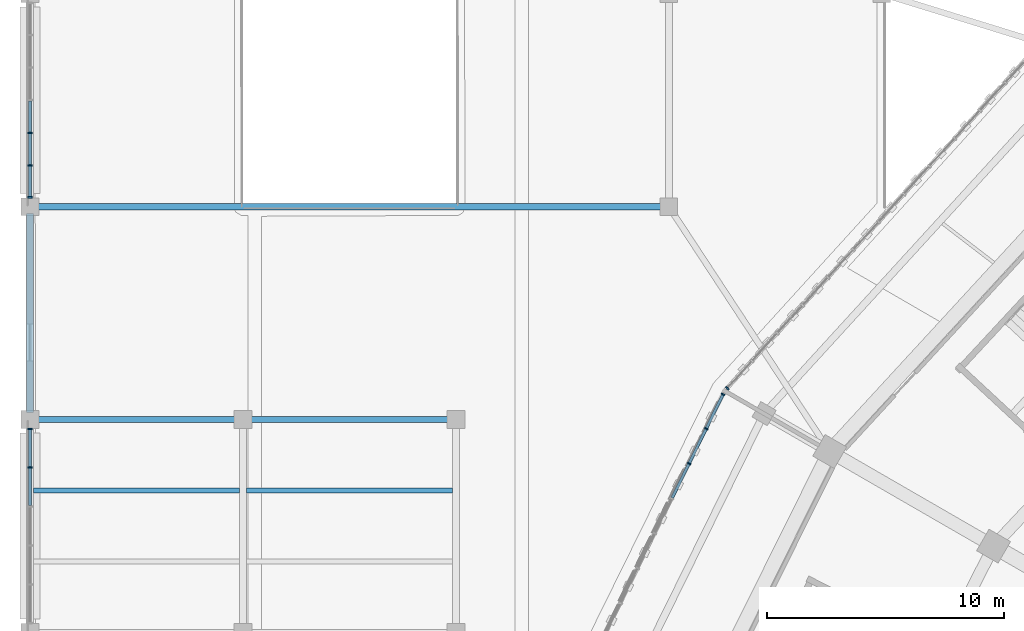
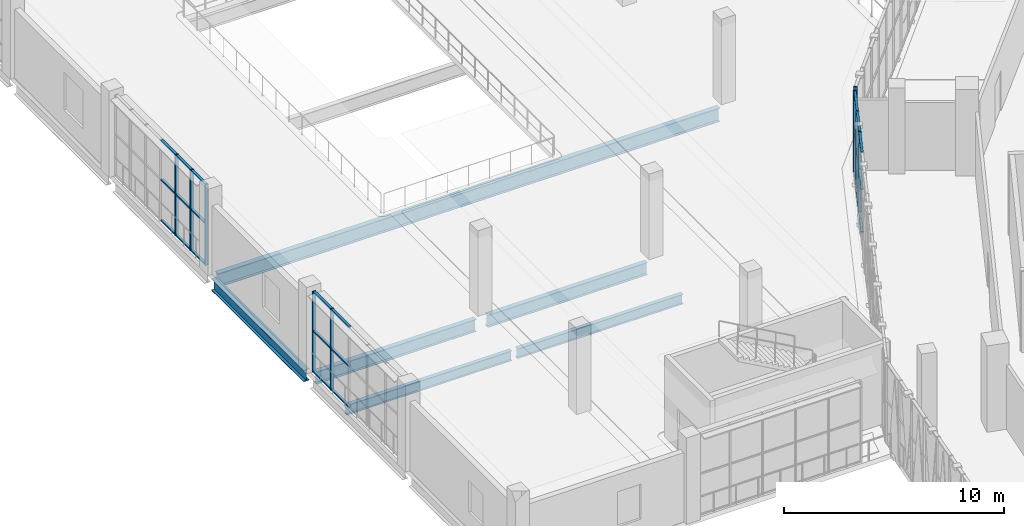
# One storey, part 45 of 179: 33 members, 6 beams, 4 elements without a shape of their own.
"""IFC4 building model written with IfcOpenShell, lengths in metres."""

from ifc_helpers import new_model, si_unit, direction, frame, origin, origin_2d, place, context, subcontext, project, spatial, rectangle, i_section, extrude, material, material_profile, profile_set, type_object, element, aggregate, save


model = new_model("IFC4")

# Units and contexts
model_context = context("Model", 3, precision=1e-05, world=origin(), true_north=direction((0.0, 1.0)))
body_context = subcontext(model_context, "Body", "Model", "MODEL_VIEW")
ifc_project = project(units=[si_unit("LENGTHUNIT", "METRE"), si_unit("AREAUNIT", "SQUARE_METRE"), si_unit("VOLUMEUNIT", "CUBIC_METRE"), si_unit("PLANEANGLEUNIT", "RADIAN"), si_unit("MASSUNIT", "GRAM", prefix="KILO")], contexts=[model_context])

# Site, building, storey
site_placement = place(None, origin())
site = spatial("IfcSite", under=ifc_project, at=site_placement, CompositionType="ELEMENT")
building_placement = place(site_placement, origin())
building = spatial("IfcBuilding", under=site, at=building_placement, Name="Zevraka Park Crest Stadium", CompositionType="ELEMENT")
storey_placement = place(building_placement, frame((0.0, 0.0, 10.199951171875)))
storey = spatial("IfcBuildingStorey", under=building, at=storey_placement, Name="L02", CompositionType="ELEMENT", Elevation=10.199951171875)

# Beams
ifc_material_1 = material(Name="Steel S355", Category="steel")
ifc_material_profile_1 = material_profile(ifc_material_1, i_section(OverallWidth=0.253662109375, OverallDepth=0.68359375, WebThickness=0.012451171875, FlangeThickness=0.01904296875, at=origin_2d()), Name="UKB 686x254x140")
ifc_profile_set_1 = profile_set([ifc_material_profile_1], Name="Steel S355")
beam_type_1 = type_object("IfcBeamType", Name="BG05", PredefinedType="BEAM", material=ifc_profile_set_1)
for number, where, z_axis, x_axis, name in (
    (1, (0.300048828125, 131.0, -0.629638671875), (1.0, 0.0, 0.0), (0.0, 1.0, 0.0), "Wing Girder BG05 L02-12/Q"),
    (2, (9.300048828125, 131.0, -0.629638671875), (1.0, 0.0, 0.0), (0.0, 1.0, 0.0), "Wing Girder BG05 L02-23/Q"),
):
    element("IfcBeam", number, at=place(storey_placement, frame(where, z_axis=z_axis, x_axis=x_axis)), inside=storey, type_object=beam_type_1, Name=name, PredefinedType="BEAM", context=body_context, shape_type="SweptSolid", body=[
        extrude(i_section(OverallWidth=0.253662109375, OverallDepth=0.68359375, WebThickness=0.012451171875, FlangeThickness=0.01904296875, at=origin_2d()), origin(), (0.0, 0.0, 1.0), 8.39990234375),
    ])
ifc_material_2 = material(Name="Steel S355", Category="steel")
ifc_material_profile_2 = material_profile(ifc_material_2, i_section(OverallWidth=0.300048828125, OverallDepth=0.64990234375, WebThickness=0.01611328125, FlangeThickness=0.031005859375, at=origin_2d()), Name="HEB 650")
ifc_profile_set_2 = profile_set([ifc_material_profile_2], Name="Steel S355")
beam_type_2 = type_object("IfcBeamType", Name="BG07", PredefinedType="BEAM", material=ifc_profile_set_2)
beam_1_placement = place(storey_placement, frame((0.0, 131.300048828125, -0.613037109375), z_axis=(0.0, 1.0, 0.0), x_axis=(-1.0, 0.0, 0.0)))
element("IfcBeam", 3, at=beam_1_placement, inside=storey, type_object=beam_type_2, Name="Wing Girder BG07 L02-1/QR", PredefinedType="BEAM", context=body_context, shape_type="SweptSolid", body=[
    extrude(i_section(OverallWidth=0.300048828125, OverallDepth=0.64990234375, WebThickness=0.01611328125, FlangeThickness=0.031005859375, at=origin_2d()), origin(), (0.0, 0.0, 1.0), 8.39990234375),
])
ifc_material_3 = material(Name="Steel S355", Category="steel")
ifc_material_profile_3 = material_profile(ifc_material_3, i_section(OverallWidth=0.26708984375, OverallDepth=0.761962890625, WebThickness=0.014404296875, FlangeThickness=0.021484375, at=origin_2d()), Name="UKB 762x267x173")
ifc_profile_set_3 = profile_set([ifc_material_profile_3], Name="Steel S355")
beam_type_3 = type_object("IfcBeamType", Name="BG08", PredefinedType="BEAM", material=ifc_profile_set_3)
beam_2_placement = place(storey_placement, frame((0.300048828125, 140.0, -0.6689453125), z_axis=(1.0, 0.0, 0.0), x_axis=(0.0, 1.0, 0.0)))
element("IfcBeam", 4, at=beam_2_placement, inside=storey, type_object=beam_type_3, Name="Wing Girder BG08 L02-14/R", PredefinedType="BEAM", context=body_context, shape_type="SweptSolid", body=[
    extrude(i_section(OverallWidth=0.26708984375, OverallDepth=0.761962890625, WebThickness=0.014404296875, FlangeThickness=0.021484375, at=origin_2d()), origin(), (0.0, 0.0, 1.0), 26.39990234375),
])

# Curtain wall, members
ifc_material_4 = material(Name="Anodised architectural aluminium and laminated safety glass", Category="aluminium")
curtain_wall_type_1 = type_object("IfcCurtainWallType", Name="CW07", PredefinedType="NOTDEFINED", material=ifc_material_4)
curtain_wall_1_placement = place(storey_placement, origin())
curtain_wall_1 = element("IfcCurtainWall", 5, at=curtain_wall_1_placement, inside=storey, type_object=curtain_wall_type_1, Name="Unitised Ring Curtain Wall CW07 L02-10", PredefinedType="NOTDEFINED")
ifc_material_5 = material(Name="Anodised architectural aluminium", Category="aluminium")
ifc_material_profile_4 = material_profile(ifc_material_5, rectangle(XDim=0.159912109375, YDim=0.06005859375, at=origin_2d()), Name="ALU MULLION 160x60")
ifc_profile_set_4 = profile_set([ifc_material_profile_4], Name="Anodised architectural aluminium")
member_type_1 = type_object("IfcMemberType", Name="CM01", PredefinedType="MULLION", material=ifc_profile_set_4)
member_1_placement = place(storey_placement, frame((29.291748046875, 132.06201171875, 0.0), z_axis=(0.0, 0.0, 1.0), x_axis=(0.897496768201, -0.441021032455, 0.0)))
member_1 = element("IfcMember", 6, at=member_1_placement, type_object=member_type_1, Name="CW07 mullion 1", PredefinedType="MULLION", context=body_context, shape_type="SweptSolid", body=[
    extrude(rectangle(XDim=0.159912109375, YDim=0.06005859375, at=origin_2d()), origin(), (0.0, 0.0, 1.0), 4.5),
])
member_2_placement = place(storey_placement, frame((28.58056640625, 130.61474609375, 0.0), z_axis=(0.0, 0.0, 1.0), x_axis=(0.897496768201, -0.441021032455, 0.0)))
member_2 = element("IfcMember", 7, at=member_2_placement, type_object=member_type_1, Name="CW07 mullion 2", PredefinedType="MULLION", context=body_context, shape_type="SweptSolid", body=[
    extrude(rectangle(XDim=0.159912109375, YDim=0.06005859375, at=origin_2d()), origin(), (0.0, 0.0, 1.0), 4.5),
])
member_3_placement = place(storey_placement, frame((27.856201171875, 129.140625, 0.0), z_axis=(0.0, 0.0, 1.0), x_axis=(0.897496768201, -0.441021032455, 0.0)))
member_3 = element("IfcMember", 8, at=member_3_placement, type_object=member_type_1, Name="CW07 mullion 3", PredefinedType="MULLION", context=body_context, shape_type="SweptSolid", body=[
    extrude(rectangle(XDim=0.159912109375, YDim=0.06005859375, at=origin_2d()), origin(), (0.0, 0.0, 1.0), 4.5),
])

# Curtain wall, member
ifc_material_6 = material(Name="Anodised architectural aluminium and laminated safety glass", Category="aluminium")
curtain_wall_type_2 = type_object("IfcCurtainWallType", Name="CW08", PredefinedType="NOTDEFINED", material=ifc_material_6)
curtain_wall_2_placement = place(storey_placement, origin())
curtain_wall_2 = element("IfcCurtainWall", 9, at=curtain_wall_2_placement, inside=storey, type_object=curtain_wall_type_2, Name="Unitised Ring Curtain Wall CW08 L02-09", PredefinedType="NOTDEFINED")
ifc_material_7 = material(Name="Anodised architectural aluminium", Category="aluminium")
ifc_material_profile_5 = material_profile(ifc_material_7, rectangle(XDim=0.179931640625, YDim=0.06494140625, at=origin_2d()), Name="ALU MULLION 180x65")
ifc_profile_set_5 = profile_set([ifc_material_profile_5], Name="Anodised architectural aluminium")
member_type_2 = type_object("IfcMemberType", Name="CM02", PredefinedType="MULLION", material=ifc_profile_set_5)
member_4_placement = place(storey_placement, frame((29.469970703125, 132.323974609375, 0.0), z_axis=(0.0, 0.0, 1.0), x_axis=(0.739496877097, -0.673159987494, 0.0)))
member_4 = element("IfcMember", 10, at=member_4_placement, type_object=member_type_2, Name="CW08 mullion 15", PredefinedType="MULLION", context=body_context, shape_type="SweptSolid", body=[
    extrude(rectangle(XDim=0.179931640625, YDim=0.06494140625, at=origin_2d()), origin(), (0.0, 0.0, 1.0), 4.5),
])
aggregate(curtain_wall_2, [member_4])

# Curtain wall, members
ifc_material_8 = material(Name="Anodised architectural aluminium and laminated safety glass", Category="aluminium")
curtain_wall_type_3 = type_object("IfcCurtainWallType", Name="CW29", PredefinedType="NOTDEFINED", material=ifc_material_8)
curtain_wall_3_placement = place(storey_placement, origin())
curtain_wall_3 = element("IfcCurtainWall", 11, at=curtain_wall_3_placement, inside=storey, type_object=curtain_wall_type_3, Name="Wing Curtain Wall CW29 L02-NW-W-2", PredefinedType="NOTDEFINED")
member_5_placement = place(storey_placement, frame((0.0, 128.98095703125, 0.0), z_axis=(0.0, 0.0, 1.0), x_axis=(-1.0, 0.0, 0.0)))
member_5 = element("IfcMember", 12, at=member_5_placement, type_object=member_type_2, Name="CW29 mullion 5", PredefinedType="MULLION", context=body_context, shape_type="SweptSolid", body=[
    extrude(rectangle(XDim=0.179931640625, YDim=0.06494140625, at=origin_2d()), origin(), (0.0, 0.0, 1.0), 4.5),
])
member_6_placement = place(storey_placement, frame((0.0, 130.6025390625, 0.0), z_axis=(0.0, 0.0, 1.0), x_axis=(-1.0, 0.0, 0.0)))
member_6 = element("IfcMember", 13, at=member_6_placement, type_object=member_type_2, Name="CW29 mullion 6", PredefinedType="MULLION", context=body_context, shape_type="SweptSolid", body=[
    extrude(rectangle(XDim=0.179931640625, YDim=0.06494140625, at=origin_2d()), origin(), (0.0, 0.0, 1.0), 4.5),
])

ifc_material_9 = material(Name="Anodised architectural aluminium and laminated safety glass", Category="aluminium")
curtain_wall_type_4 = type_object("IfcCurtainWallType", Name="CW26", PredefinedType="NOTDEFINED", material=ifc_material_9)
curtain_wall_4_placement = place(storey_placement, origin())
curtain_wall_4 = element("IfcCurtainWall", 14, at=curtain_wall_4_placement, inside=storey, type_object=curtain_wall_type_4, Name="Wing Curtain Wall CW26 L02-NW-W-4", PredefinedType="NOTDEFINED")
member_7_placement = place(storey_placement, frame((0.0, 140.3974609375, 0.0), z_axis=(0.0, 0.0, 1.0), x_axis=(-1.0, 0.0, 0.0)))
member_7 = element("IfcMember", 15, at=member_7_placement, type_object=member_type_2, Name="CW26 mullion 1", PredefinedType="MULLION", context=body_context, shape_type="SweptSolid", body=[
    extrude(rectangle(XDim=0.179931640625, YDim=0.06494140625, at=origin_2d()), origin(), (0.0, 0.0, 1.0), 4.5),
])
member_8_placement = place(storey_placement, frame((0.0, 141.743408203125, 0.0), z_axis=(0.0, 0.0, 1.0), x_axis=(-1.0, 0.0, 0.0)))
member_8 = element("IfcMember", 16, at=member_8_placement, type_object=member_type_2, Name="CW26 mullion 2", PredefinedType="MULLION", context=body_context, shape_type="SweptSolid", body=[
    extrude(rectangle(XDim=0.179931640625, YDim=0.06494140625, at=origin_2d()), origin(), (0.0, 0.0, 1.0), 4.5),
])
member_9_placement = place(storey_placement, frame((0.0, 143.12158203125, 0.0), z_axis=(0.0, 0.0, 1.0), x_axis=(-1.0, 0.0, 0.0)))
member_9 = element("IfcMember", 17, at=member_9_placement, type_object=member_type_2, Name="CW26 mullion 3", PredefinedType="MULLION", context=body_context, shape_type="SweptSolid", body=[
    extrude(rectangle(XDim=0.179931640625, YDim=0.06494140625, at=origin_2d()), origin(), (0.0, 0.0, 1.0), 4.5),
])

# Member
ifc_material_10 = material(Name="Anodised architectural aluminium", Category="aluminium")
ifc_material_profile_6 = material_profile(ifc_material_10, rectangle(XDim=0.1201171875, YDim=0.06005859375, at=origin_2d()), Name="ALU TRANSOM 120x60")
ifc_profile_set_6 = profile_set([ifc_material_profile_6], Name="Anodised architectural aluminium")
member_type_3 = type_object("IfcMemberType", Name="CT01", PredefinedType="USERDEFINED", material=ifc_profile_set_6)
member_10_placement = place(storey_placement, frame((29.278564453125, 132.03515625, 0.030029296875), z_axis=(-0.441101676323, -0.897457136105, 0.0), x_axis=(0.897457136105, -0.441101676323, 0.0)))
member_10 = element("IfcMember", 18, at=member_10_placement, type_object=member_type_3, Name="CW07 transom 1.1", ObjectType="TRANSOM", PredefinedType="USERDEFINED", context=body_context, shape_type="SweptSolid", body=[
    extrude(rectangle(XDim=0.1201171875, YDim=0.06005859375, at=origin_2d()), origin(), (0.0, 0.0, 1.0), 1.552490234375),
])

member_11_placement = place(storey_placement, frame((29.278564453125, 132.03515625, 2.400146484375), z_axis=(-0.441101676323, -0.897457136105, 0.0), x_axis=(0.897457136105, -0.441101676323, 0.0)))
member_11 = element("IfcMember", 19, at=member_11_placement, type_object=member_type_3, Name="CW07 transom 1.2", ObjectType="TRANSOM", PredefinedType="USERDEFINED", context=body_context, shape_type="SweptSolid", body=[
    extrude(rectangle(XDim=0.1201171875, YDim=0.06005859375, at=origin_2d()), origin(), (0.0, 0.0, 1.0), 1.552490234375),
])

member_12_placement = place(storey_placement, frame((29.278564453125, 132.03515625, 4.469970703125), z_axis=(-0.441101676323, -0.897457136105, 0.0), x_axis=(0.897457136105, -0.441101676323, 0.0)))
member_12 = element("IfcMember", 20, at=member_12_placement, type_object=member_type_3, Name="CW07 transom 1.3", ObjectType="TRANSOM", PredefinedType="USERDEFINED", context=body_context, shape_type="SweptSolid", body=[
    extrude(rectangle(XDim=0.1201171875, YDim=0.06005859375, at=origin_2d()), origin(), (0.0, 0.0, 1.0), 1.552490234375),
])

member_13_placement = place(storey_placement, frame((28.5673828125, 130.587890625, 0.030029296875), z_axis=(-0.441093576416, -0.897461117177, 0.0), x_axis=(0.897461117177, -0.441093576416, 0.0)))
member_13 = element("IfcMember", 21, at=member_13_placement, type_object=member_type_3, Name="CW07 transom 2.1", ObjectType="TRANSOM", PredefinedType="USERDEFINED", context=body_context, shape_type="SweptSolid", body=[
    extrude(rectangle(XDim=0.1201171875, YDim=0.06005859375, at=origin_2d()), origin(), (0.0, 0.0, 1.0), 1.58251953125),
])

member_14_placement = place(storey_placement, frame((28.5673828125, 130.587890625, 2.400146484375), z_axis=(-0.441093576416, -0.897461117177, 0.0), x_axis=(0.897461117177, -0.441093576416, 0.0)))
member_14 = element("IfcMember", 22, at=member_14_placement, type_object=member_type_3, Name="CW07 transom 2.2", ObjectType="TRANSOM", PredefinedType="USERDEFINED", context=body_context, shape_type="SweptSolid", body=[
    extrude(rectangle(XDim=0.1201171875, YDim=0.06005859375, at=origin_2d()), origin(), (0.0, 0.0, 1.0), 1.58251953125),
])

member_15_placement = place(storey_placement, frame((28.5673828125, 130.587890625, 4.469970703125), z_axis=(-0.441093576416, -0.897461117177, 0.0), x_axis=(0.897461117177, -0.441093576416, 0.0)))
member_15 = element("IfcMember", 23, at=member_15_placement, type_object=member_type_3, Name="CW07 transom 2.3", ObjectType="TRANSOM", PredefinedType="USERDEFINED", context=body_context, shape_type="SweptSolid", body=[
    extrude(rectangle(XDim=0.1201171875, YDim=0.06005859375, at=origin_2d()), origin(), (0.0, 0.0, 1.0), 1.58251953125),
])

member_16_placement = place(storey_placement, frame((27.843017578125, 129.11376953125, 0.030029296875), z_axis=(-0.441032508924, -0.897491128687, 0.0), x_axis=(0.897491128687, -0.441032508924, 0.0)))
member_16 = element("IfcMember", 24, at=member_16_placement, type_object=member_type_3, Name="CW07 transom 3.1", ObjectType="TRANSOM", PredefinedType="USERDEFINED", context=body_context, shape_type="SweptSolid", body=[
    extrude(rectangle(XDim=0.1201171875, YDim=0.06005859375, at=origin_2d()), origin(), (0.0, 0.0, 1.0), 1.582763671875),
])

member_17_placement = place(storey_placement, frame((27.843017578125, 129.11376953125, 2.400146484375), z_axis=(-0.441032508924, -0.897491128687, 0.0), x_axis=(0.897491128687, -0.441032508924, 0.0)))
member_17 = element("IfcMember", 25, at=member_17_placement, type_object=member_type_3, Name="CW07 transom 3.2", ObjectType="TRANSOM", PredefinedType="USERDEFINED", context=body_context, shape_type="SweptSolid", body=[
    extrude(rectangle(XDim=0.1201171875, YDim=0.06005859375, at=origin_2d()), origin(), (0.0, 0.0, 1.0), 1.582763671875),
])

member_18_placement = place(storey_placement, frame((27.843017578125, 129.11376953125, 4.469970703125), z_axis=(-0.441032508924, -0.897491128687, 0.0), x_axis=(0.897491128687, -0.441032508924, 0.0)))
member_18 = element("IfcMember", 26, at=member_18_placement, type_object=member_type_3, Name="CW07 transom 3.3", ObjectType="TRANSOM", PredefinedType="USERDEFINED", context=body_context, shape_type="SweptSolid", body=[
    extrude(rectangle(XDim=0.1201171875, YDim=0.06005859375, at=origin_2d()), origin(), (0.0, 0.0, 1.0), 1.582763671875),
])

aggregate(curtain_wall_1, [member_1, member_2, member_3, member_10, member_11, member_12, member_13, member_14, member_15, member_16, member_17, member_18])

ifc_material_11 = material(Name="Anodised architectural aluminium", Category="aluminium")
ifc_material_profile_7 = material_profile(ifc_material_11, rectangle(XDim=0.139892578125, YDim=0.06494140625, at=origin_2d()), Name="ALU TRANSOM 140x65")
ifc_profile_set_7 = profile_set([ifc_material_profile_7], Name="Anodised architectural aluminium")
member_type_4 = type_object("IfcMemberType", Name="CT02", PredefinedType="USERDEFINED", material=ifc_profile_set_7)
member_19_placement = place(storey_placement, frame((0.0, 127.359619140625, 0.032470703125), z_axis=(0.0, 1.0, 0.0), x_axis=(-1.0, 0.0, 0.0)))
member_19 = element("IfcMember", 27, at=member_19_placement, type_object=member_type_4, Name="CW29 transom 4.1", ObjectType="TRANSOM", PredefinedType="USERDEFINED", context=body_context, shape_type="SweptSolid", body=[
    extrude(rectangle(XDim=0.139892578125, YDim=0.06494140625, at=origin_2d()), origin(), (0.0, 0.0, 1.0), 1.5888671875),
])

member_20_placement = place(storey_placement, frame((0.0, 127.359619140625, 2.300048828125), z_axis=(0.0, 1.0, 0.0), x_axis=(-1.0, 0.0, 0.0)))
member_20 = element("IfcMember", 28, at=member_20_placement, type_object=member_type_4, Name="CW29 transom 4.2", ObjectType="TRANSOM", PredefinedType="USERDEFINED", context=body_context, shape_type="SweptSolid", body=[
    extrude(rectangle(XDim=0.139892578125, YDim=0.06494140625, at=origin_2d()), origin(), (0.0, 0.0, 1.0), 1.5888671875),
])

member_21_placement = place(storey_placement, frame((0.0, 127.359619140625, 4.467529296875), z_axis=(0.0, 1.0, 0.0), x_axis=(-1.0, 0.0, 0.0)))
member_21 = element("IfcMember", 29, at=member_21_placement, type_object=member_type_4, Name="CW29 transom 4.3", ObjectType="TRANSOM", PredefinedType="USERDEFINED", context=body_context, shape_type="SweptSolid", body=[
    extrude(rectangle(XDim=0.139892578125, YDim=0.06494140625, at=origin_2d()), origin(), (0.0, 0.0, 1.0), 1.5888671875),
])

member_22_placement = place(storey_placement, frame((0.0, 129.013427734375, 0.032470703125), z_axis=(0.0, 1.0, 0.0), x_axis=(-1.0, 0.0, 0.0)))
member_22 = element("IfcMember", 30, at=member_22_placement, type_object=member_type_4, Name="CW29 transom 5.1", ObjectType="TRANSOM", PredefinedType="USERDEFINED", context=body_context, shape_type="SweptSolid", body=[
    extrude(rectangle(XDim=0.139892578125, YDim=0.06494140625, at=origin_2d()), origin(), (0.0, 0.0, 1.0), 1.556640625),
])

member_23_placement = place(storey_placement, frame((0.0, 129.013427734375, 2.300048828125), z_axis=(0.0, 1.0, 0.0), x_axis=(-1.0, 0.0, 0.0)))
member_23 = element("IfcMember", 31, at=member_23_placement, type_object=member_type_4, Name="CW29 transom 5.2", ObjectType="TRANSOM", PredefinedType="USERDEFINED", context=body_context, shape_type="SweptSolid", body=[
    extrude(rectangle(XDim=0.139892578125, YDim=0.06494140625, at=origin_2d()), origin(), (0.0, 0.0, 1.0), 1.556640625),
])

member_24_placement = place(storey_placement, frame((0.0, 129.013427734375, 4.467529296875), z_axis=(0.0, 1.0, 0.0), x_axis=(-1.0, 0.0, 0.0)))
member_24 = element("IfcMember", 32, at=member_24_placement, type_object=member_type_4, Name="CW29 transom 5.3", ObjectType="TRANSOM", PredefinedType="USERDEFINED", context=body_context, shape_type="SweptSolid", body=[
    extrude(rectangle(XDim=0.139892578125, YDim=0.06494140625, at=origin_2d()), origin(), (0.0, 0.0, 1.0), 1.556640625),
])

aggregate(curtain_wall_3, [member_5, member_6, member_19, member_20, member_21, member_22, member_23, member_24])

member_25_placement = place(storey_placement, frame((0.0, 140.429931640625, 0.032470703125), z_axis=(0.0, 1.0, 0.0), x_axis=(-1.0, 0.0, 0.0)))
member_25 = element("IfcMember", 33, at=member_25_placement, type_object=member_type_4, Name="CW26 transom 1.1", ObjectType="TRANSOM", PredefinedType="USERDEFINED", context=body_context, shape_type="SweptSolid", body=[
    extrude(rectangle(XDim=0.139892578125, YDim=0.06494140625, at=origin_2d()), origin(), (0.0, 0.0, 1.0), 1.281005859375),
])

member_26_placement = place(storey_placement, frame((0.0, 140.429931640625, 2.300048828125), z_axis=(0.0, 1.0, 0.0), x_axis=(-1.0, 0.0, 0.0)))
member_26 = element("IfcMember", 34, at=member_26_placement, type_object=member_type_4, Name="CW26 transom 1.2", ObjectType="TRANSOM", PredefinedType="USERDEFINED", context=body_context, shape_type="SweptSolid", body=[
    extrude(rectangle(XDim=0.139892578125, YDim=0.06494140625, at=origin_2d()), origin(), (0.0, 0.0, 1.0), 1.281005859375),
])

member_27_placement = place(storey_placement, frame((0.0, 140.429931640625, 4.467529296875), z_axis=(0.0, 1.0, 0.0), x_axis=(-1.0, 0.0, 0.0)))
member_27 = element("IfcMember", 35, at=member_27_placement, type_object=member_type_4, Name="CW26 transom 1.3", ObjectType="TRANSOM", PredefinedType="USERDEFINED", context=body_context, shape_type="SweptSolid", body=[
    extrude(rectangle(XDim=0.139892578125, YDim=0.06494140625, at=origin_2d()), origin(), (0.0, 0.0, 1.0), 1.281005859375),
])

member_28_placement = place(storey_placement, frame((0.0, 141.77587890625, 0.032470703125), z_axis=(0.0, 1.0, 0.0), x_axis=(-1.0, 0.0, 0.0)))
member_28 = element("IfcMember", 36, at=member_28_placement, type_object=member_type_4, Name="CW26 transom 2.1", ObjectType="TRANSOM", PredefinedType="USERDEFINED", context=body_context, shape_type="SweptSolid", body=[
    extrude(rectangle(XDim=0.139892578125, YDim=0.06494140625, at=origin_2d()), origin(), (0.0, 0.0, 1.0), 1.313232421875),
])

member_29_placement = place(storey_placement, frame((0.0, 141.77587890625, 2.300048828125), z_axis=(0.0, 1.0, 0.0), x_axis=(-1.0, 0.0, 0.0)))
member_29 = element("IfcMember", 37, at=member_29_placement, type_object=member_type_4, Name="CW26 transom 2.2", ObjectType="TRANSOM", PredefinedType="USERDEFINED", context=body_context, shape_type="SweptSolid", body=[
    extrude(rectangle(XDim=0.139892578125, YDim=0.06494140625, at=origin_2d()), origin(), (0.0, 0.0, 1.0), 1.313232421875),
])

member_30_placement = place(storey_placement, frame((0.0, 141.77587890625, 4.467529296875), z_axis=(0.0, 1.0, 0.0), x_axis=(-1.0, 0.0, 0.0)))
member_30 = element("IfcMember", 38, at=member_30_placement, type_object=member_type_4, Name="CW26 transom 2.3", ObjectType="TRANSOM", PredefinedType="USERDEFINED", context=body_context, shape_type="SweptSolid", body=[
    extrude(rectangle(XDim=0.139892578125, YDim=0.06494140625, at=origin_2d()), origin(), (0.0, 0.0, 1.0), 1.313232421875),
])

member_31_placement = place(storey_placement, frame((0.0, 143.154052734375, 0.032470703125), z_axis=(0.0, 1.0, 0.0), x_axis=(-1.0, 0.0, 0.0)))
member_31 = element("IfcMember", 39, at=member_31_placement, type_object=member_type_4, Name="CW26 transom 3.1", ObjectType="TRANSOM", PredefinedType="USERDEFINED", context=body_context, shape_type="SweptSolid", body=[
    extrude(rectangle(XDim=0.139892578125, YDim=0.06494140625, at=origin_2d()), origin(), (0.0, 0.0, 1.0), 1.3134765625),
])

member_32_placement = place(storey_placement, frame((0.0, 143.154052734375, 2.300048828125), z_axis=(0.0, 1.0, 0.0), x_axis=(-1.0, 0.0, 0.0)))
member_32 = element("IfcMember", 40, at=member_32_placement, type_object=member_type_4, Name="CW26 transom 3.2", ObjectType="TRANSOM", PredefinedType="USERDEFINED", context=body_context, shape_type="SweptSolid", body=[
    extrude(rectangle(XDim=0.139892578125, YDim=0.06494140625, at=origin_2d()), origin(), (0.0, 0.0, 1.0), 1.3134765625),
])

member_33_placement = place(storey_placement, frame((0.0, 143.154052734375, 4.467529296875), z_axis=(0.0, 1.0, 0.0), x_axis=(-1.0, 0.0, 0.0)))
member_33 = element("IfcMember", 41, at=member_33_placement, type_object=member_type_4, Name="CW26 transom 3.3", ObjectType="TRANSOM", PredefinedType="USERDEFINED", context=body_context, shape_type="SweptSolid", body=[
    extrude(rectangle(XDim=0.139892578125, YDim=0.06494140625, at=origin_2d()), origin(), (0.0, 0.0, 1.0), 1.3134765625),
])

aggregate(curtain_wall_4, [member_7, member_8, member_9, member_25, member_26, member_27, member_28, member_29, member_30, member_31, member_32, member_33])

# Beams
ifc_material_12 = material(Name="Steel S355", Category="steel")
ifc_material_profile_8 = material_profile(ifc_material_12, i_section(OverallWidth=0.2099609375, OverallDepth=0.550048828125, WebThickness=0.010986328125, FlangeThickness=0.01708984375, at=origin_2d()), Name="IPE 550")
ifc_profile_set_8 = profile_set([ifc_material_profile_8], Name="Steel S355")
beam_type_4 = type_object("IfcBeamType", Name="SJ04", PredefinedType="JOIST", material=ifc_profile_set_8)
for number, where, z_axis, x_axis, name in (
    (42, (0.14501953125, 128.0, -0.56494140625), (1.0, 0.0, 0.0), (0.0, 1.0, 0.0), "Wing Joist SJ04 L02-1/P-2"),
    (43, (9.14501953125, 128.0, -0.56494140625), (1.0, 0.0, 0.0), (0.0, 1.0, 0.0), "Wing Joist SJ04 L02-2/P-2"),
):
    element("IfcBeam", number, at=place(storey_placement, frame(where, z_axis=z_axis, x_axis=x_axis)), inside=storey, type_object=beam_type_4, Name=name, PredefinedType="JOIST", context=body_context, shape_type="SweptSolid", body=[
        extrude(i_section(OverallWidth=0.2099609375, OverallDepth=0.550048828125, WebThickness=0.010986328125, FlangeThickness=0.01708984375, at=origin_2d()), origin(), (0.0, 0.0, 1.0), 8.7099609375),
    ])

save(model, "model.ifc")
